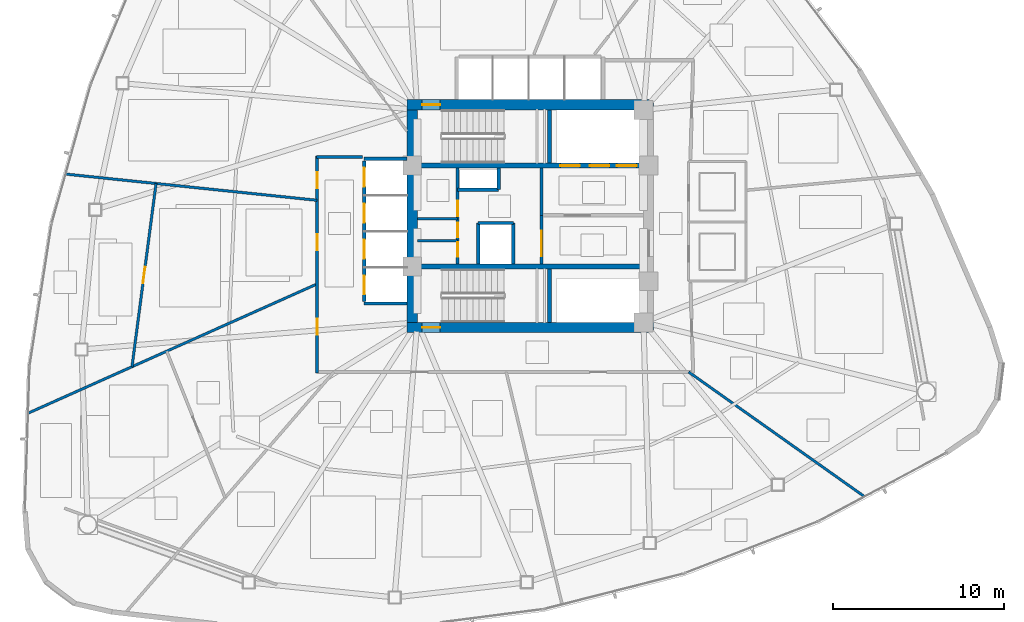
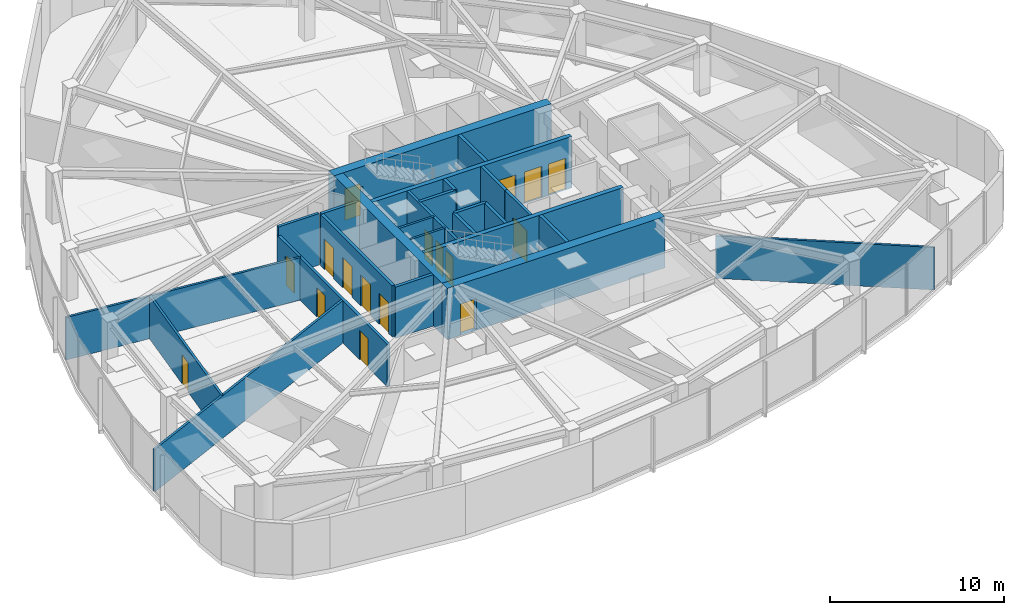
# One storey, part 11 of 17: 26 walls, 17 doors, 17 openings.
"""IFC4 building model written with IfcOpenShell, lengths in metres."""

from ifc_helpers import new_model, si_unit, direction, frame, frame_2d, origin, place, context, subcontext, project, spatial, rectangle, extrude, material, layer, layer_set, type_object, element, fill, save


model = new_model("IFC4")

# Units and contexts
model_context = context("Model", 3, precision=1e-05, world=origin(), true_north=direction((0.0, 1.0)))
body_context = subcontext(model_context, "Body", "Model", "MODEL_VIEW")
ifc_project = project(units=[si_unit("LENGTHUNIT", "METRE"), si_unit("AREAUNIT", "SQUARE_METRE"), si_unit("VOLUMEUNIT", "CUBIC_METRE"), si_unit("PLANEANGLEUNIT", "RADIAN"), si_unit("MASSUNIT", "GRAM", prefix="KILO")], contexts=[model_context])

# Site, building, storey
site_placement = place(None, origin())
site = spatial("IfcSite", under=ifc_project, at=site_placement, CompositionType="ELEMENT")
building_placement = place(site_placement, origin())
building = spatial("IfcBuilding", under=site, at=building_placement, Name="Tavelor Broadcast Tower", CompositionType="ELEMENT")
storey_placement = place(building_placement, frame((0.0, 0.0, 70.5)))
storey = spatial("IfcBuildingStorey", under=building, at=storey_placement, Name="L16", CompositionType="ELEMENT", Elevation=70.5)

# Wall, opening, door
ifc_material_1 = material(Name="Concrete C60/75", Category="concrete")
ifc_layer_1 = layer(ifc_material_1, 0.60009765625)
ifc_layer_set_1 = layer_set([ifc_layer_1], Name="Concrete C60/75")
wall_type_1 = type_object("IfcWallType", Name="Core Shear Wall 600 mm", PredefinedType="SHEAR", material=ifc_layer_set_1)
wall_1_placement = place(storey_placement, frame((42.800048828125, 51.5, 0.0), z_axis=(0.0, 0.0, 1.0), x_axis=(1.0, 0.0, 0.0)))
wall_1 = element("IfcWall", 1, at=wall_1_placement, inside=storey, type_object=wall_type_1, Name="L16 Central Core Shear Wall N", PredefinedType="SHEAR", context=body_context, shape_type="SweptSolid", body=[
    extrude(rectangle(XDim=14.39990234375, YDim=0.60009765625, at=frame_2d((7.199951171875, 0.0))), origin(), (0.0, 0.0, 1.0), 3.60009765625),
])
opening_1_placement = place(wall_1_placement, frame((0.8798828125, 0.0, 0.0)))
opening_1 = element("IfcOpeningElement", 2, at=opening_1_placement, cuts=wall_1, Name="Opening DR11", PredefinedType="OPENING", context=body_context, shape_type="SweptSolid", body=[
    extrude(rectangle(XDim=1.050048828125, YDim=2.199951171875, at=frame_2d((0.52490234375, 1.10009765625))), frame((0.0, 0.31005859375, 0.0), z_axis=(0.0, -1.0, 0.0), x_axis=(1.0, 0.0, 0.0)), (0.0, 0.0, 1.0), 0.6201171875),
])
ifc_material_2 = material(Name="Steel S355", Category="steel")
door_type_1 = type_object("IfcDoorType", Name="Stair Core Fire Escape Door 1050x2200", OperationType="NOTDEFINED", PredefinedType="DOOR", material=ifc_material_2)
door_1_placement = place(opening_1_placement, origin())
door_1 = element("IfcDoor", 3, at=door_1_placement, inside=storey, type_object=door_type_1, Name="L16 Stair ST1 Protected Exit Door", OperationType="SINGLE_SWING_LEFT", OverallHeight=2.199951171875, OverallWidth=1.050048828125, PredefinedType="DOOR", context=body_context, shape_type="SweptSolid", body=[
    extrude(rectangle(XDim=1.050048828125, YDim=2.199951171875, at=frame_2d((0.52490234375, 1.10009765625))), frame((0.0, 0.02490234375, 0.0), z_axis=(0.0, -1.0, 0.0), x_axis=(1.0, 0.0, 0.0)), (0.0, 0.0, 1.0), 0.050048828125),
])
fill(opening_1, door_1)

wall_2_placement = place(storey_placement, frame((42.800048828125, 38.5, 0.0), z_axis=(0.0, 0.0, 1.0), x_axis=(1.0, 0.0, 0.0)))
wall_2 = element("IfcWall", 4, at=wall_2_placement, inside=storey, type_object=wall_type_1, Name="L16 Central Core Shear Wall S", PredefinedType="SHEAR", context=body_context, shape_type="SweptSolid", body=[
    extrude(rectangle(XDim=14.39990234375, YDim=0.60009765625, at=frame_2d((7.199951171875, 0.0))), origin(), (0.0, 0.0, 1.0), 3.60009765625),
])
opening_2_placement = place(wall_2_placement, frame((0.8798828125, 0.0, 0.0)))
opening_2 = element("IfcOpeningElement", 5, at=opening_2_placement, cuts=wall_2, Name="Opening DR11", PredefinedType="OPENING", context=body_context, shape_type="SweptSolid", body=[
    extrude(rectangle(XDim=1.050048828125, YDim=2.199951171875, at=frame_2d((0.52490234375, 1.10009765625))), frame((0.0, 0.31005859375, 0.0), z_axis=(0.0, -1.0, 0.0), x_axis=(1.0, 0.0, 0.0)), (0.0, 0.0, 1.0), 0.6201171875),
])
door_2_placement = place(opening_2_placement, origin())
door_2 = element("IfcDoor", 6, at=door_2_placement, inside=storey, type_object=door_type_1, Name="L16 Stair ST2 Protected Exit Door", OperationType="SINGLE_SWING_RIGHT", OverallHeight=2.199951171875, OverallWidth=1.050048828125, PredefinedType="DOOR", context=body_context, shape_type="SweptSolid", body=[
    extrude(rectangle(XDim=1.050048828125, YDim=2.199951171875, at=frame_2d((0.52490234375, 1.10009765625))), frame((0.0, 0.02490234375, 0.0), z_axis=(0.0, -1.0, 0.0), x_axis=(1.0, 0.0, 0.0)), (0.0, 0.0, 1.0), 0.050048828125),
])
fill(opening_2, door_2)

# Wall
wall_3_placement = place(storey_placement, frame((43.10009765625, 38.800048828125, 0.0), z_axis=(0.0, 0.0, 1.0), x_axis=(0.0, 1.0, 0.0)))
element("IfcWall", 7, at=wall_3_placement, inside=storey, type_object=wall_type_1, Name="L16 Central Core Shear Wall W", PredefinedType="SHEAR", context=body_context, shape_type="SweptSolid", body=[
    extrude(rectangle(XDim=12.39990234375, YDim=0.60009765625, at=frame_2d((6.199951171875, 0.0))), origin(), (0.0, 0.0, 1.0), 3.60009765625),
])

# Wall, openings, doors
ifc_layer_2 = layer(ifc_material_1, 0.300048828125)
ifc_layer_set_2 = layer_set([ifc_layer_2], Name="Concrete C60/75")
wall_type_2 = type_object("IfcWallType", Name="Core Spine Shear Wall 300 mm C60", PredefinedType="SHEAR", material=ifc_layer_set_2)
wall_4_placement = place(storey_placement, frame((43.39990234375, 47.949951171875, 0.0), z_axis=(0.0, 0.0, 1.0), x_axis=(1.0, 0.0, 0.0)))
wall_4 = element("IfcWall", 8, at=wall_4_placement, inside=storey, type_object=wall_type_2, Name="L16 Central Core Shear Wall SP1", PredefinedType="SHEAR", context=body_context, shape_type="SweptSolid", body=[
    extrude(rectangle(XDim=13.2001953125, YDim=0.300048828125, at=frame_2d((6.60009765625, 0.0))), origin(), (0.0, 0.0, 1.0), 3.60009765625),
])
opening_3_placement = place(wall_4_placement, frame((8.344970703125, 0.0, 0.0)))
opening_3 = element("IfcOpeningElement", 9, at=opening_3_placement, cuts=wall_4, Name="Opening LD02", PredefinedType="OPENING", context=body_context, shape_type="SweptSolid", body=[
    extrude(rectangle(XDim=1.14990234375, YDim=2.199951171875, at=frame_2d((0.574951171875, 1.10009765625))), frame((0.0, 0.16015625, 0.0), z_axis=(0.0, -1.0, 0.0), x_axis=(1.0, 0.0, 0.0)), (0.0, 0.0, 1.0), 0.320068359375),
])
opening_4_placement = place(wall_4_placement, frame((10.06494140625, 0.0, 0.0)))
opening_4 = element("IfcOpeningElement", 10, at=opening_4_placement, cuts=wall_4, Name="Opening LD02", PredefinedType="OPENING", context=body_context, shape_type="SweptSolid", body=[
    extrude(rectangle(XDim=1.14990234375, YDim=2.199951171875, at=frame_2d((0.574951171875, 1.10009765625))), frame((0.0, 0.16015625, 0.0), z_axis=(0.0, -1.0, 0.0), x_axis=(1.0, 0.0, 0.0)), (0.0, 0.0, 1.0), 0.320068359375),
])
opening_5_placement = place(wall_4_placement, frame((11.64501953125, 0.0, 0.0)))
opening_5 = element("IfcOpeningElement", 11, at=opening_5_placement, cuts=wall_4, Name="Opening LD03", PredefinedType="OPENING", context=body_context, shape_type="SweptSolid", body=[
    extrude(rectangle(XDim=1.14990234375, YDim=2.199951171875, at=frame_2d((0.574951171875, 1.10009765625))), frame((0.0, 0.16015625, 0.0), z_axis=(0.0, -1.0, 0.0), x_axis=(1.0, 0.0, 0.0)), (0.0, 0.0, 1.0), 0.320068359375),
])
ifc_material_3 = material(Name="Reinforced Brushed Stainless Steel", Category="concrete")
door_type_2 = type_object("IfcDoorType", Name="Broadcast Goods Lift Sliding Landing Door 1250x2200", OperationType="NOTDEFINED", PredefinedType="DOOR", material=ifc_material_3)
door_3_placement = place(opening_5_placement, origin())
door_3 = element("IfcDoor", 12, at=door_3_placement, inside=storey, type_object=door_type_2, Name="L16 Lift SVL1 Sliding Landing Door", OperationType="SLIDING_TO_LEFT", OverallHeight=2.199951171875, OverallWidth=1.14990234375, PredefinedType="DOOR", context=body_context, shape_type="SweptSolid", body=[
    extrude(rectangle(XDim=1.14990234375, YDim=2.199951171875, at=frame_2d((0.574951171875, 1.10009765625))), frame((0.0, 0.02490234375, 0.0), z_axis=(0.0, -1.0, 0.0), x_axis=(1.0, 0.0, 0.0)), (0.0, 0.0, 1.0), 0.050048828125),
])
fill(opening_5, door_3)
ifc_material_4 = material(Name="Fire-Rated Stainless Steel", Category="steel")
door_type_3 = type_object("IfcDoorType", Name="Firefighting Lift Sliding Landing Door 1200x2200", OperationType="NOTDEFINED", PredefinedType="DOOR", material=ifc_material_4)
door_4_placement = place(opening_3_placement, origin())
door_4 = element("IfcDoor", 13, at=door_4_placement, inside=storey, type_object=door_type_3, Name="L16 Lift FFL1 Sliding Landing Door", OperationType="SLIDING_TO_LEFT", OverallHeight=2.199951171875, OverallWidth=1.14990234375, PredefinedType="DOOR", context=body_context, shape_type="SweptSolid", body=[
    extrude(rectangle(XDim=1.14990234375, YDim=2.199951171875, at=frame_2d((0.574951171875, 1.10009765625))), frame((0.0, 0.02490234375, 0.0), z_axis=(0.0, -1.0, 0.0), x_axis=(1.0, 0.0, 0.0)), (0.0, 0.0, 1.0), 0.050048828125),
])
fill(opening_3, door_4)
door_5_placement = place(opening_4_placement, origin())
door_5 = element("IfcDoor", 14, at=door_5_placement, inside=storey, type_object=door_type_3, Name="L16 Lift FFL2 Sliding Landing Door", OperationType="SLIDING_TO_LEFT", OverallHeight=2.199951171875, OverallWidth=1.14990234375, PredefinedType="DOOR", context=body_context, shape_type="SweptSolid", body=[
    extrude(rectangle(XDim=1.14990234375, YDim=2.199951171875, at=frame_2d((0.574951171875, 1.10009765625))), frame((0.0, 0.02490234375, 0.0), z_axis=(0.0, -1.0, 0.0), x_axis=(1.0, 0.0, 0.0)), (0.0, 0.0, 1.0), 0.050048828125),
])
fill(opening_4, door_5)

# Wall
wall_5_placement = place(storey_placement, frame((43.39990234375, 42.050048828125, 0.0), z_axis=(0.0, 0.0, 1.0), x_axis=(1.0, 0.0, 0.0)))
element("IfcWall", 15, at=wall_5_placement, inside=storey, type_object=wall_type_2, Name="L16 Central Core Shear Wall SP2", PredefinedType="SHEAR", context=body_context, shape_type="SweptSolid", body=[
    extrude(rectangle(XDim=13.2001953125, YDim=0.300048828125, at=frame_2d((6.60009765625, 0.0))), origin(), (0.0, 0.0, 1.0), 3.60009765625),
])

# Wall, opening, door
ifc_material_5 = material(Name="Calcium Silicate Fire Board 180 mm", Category="gypsum")
ifc_layer_3 = layer(ifc_material_5, 0.179931640625)
ifc_layer_set_3 = layer_set([ifc_layer_3], Name="Calcium Silicate Fire Board 180 mm")
wall_type_3 = type_object("IfcWallType", Name="Fire-Rated Corridor Partition Wall 180 mm", PredefinedType="PARTITIONING", material=ifc_layer_set_3)
wall_6_placement = place(storey_placement, frame((50.64990234375, 42.199951171875, 0.0), z_axis=(0.0, 0.0, 1.0), x_axis=(0.0, 1.0, 0.0)))
wall_6 = element("IfcWall", 16, at=wall_6_placement, inside=storey, type_object=wall_type_3, Name="L16 Core Lobby Zoning Wall", PredefinedType="PARTITIONING", context=body_context, shape_type="SweptSolid", body=[
    extrude(rectangle(XDim=2.85009765625, YDim=0.179931640625, at=frame_2d((1.425048828125, 0.0))), origin(), (0.0, 0.0, 1.0), 3.60009765625),
])
opening_6_placement = place(wall_6_placement, frame((0.449951171875, 0.0, 0.0)))
opening_6 = element("IfcOpeningElement", 17, at=opening_6_placement, cuts=wall_6, Name="Opening DR14", PredefinedType="OPENING", context=body_context, shape_type="SweptSolid", body=[
    extrude(rectangle(XDim=1.5, YDim=2.199951171875, at=frame_2d((0.75, 1.10009765625))), frame((0.0, 0.10009765625, 0.0), z_axis=(0.0, -1.0, 0.0), x_axis=(1.0, 0.0, 0.0)), (0.0, 0.0, 1.0), 0.199951171875),
])
door_type_4 = type_object("IfcDoorType", Name="Firefighting Lobby Double Fire Door 1500x2200", OperationType="NOTDEFINED", PredefinedType="DOOR", material=ifc_material_2)
door_6_placement = place(opening_6_placement, origin())
door_6 = element("IfcDoor", 18, at=door_6_placement, inside=storey, type_object=door_type_4, Name="L16 Core West Lobby Double Fire Door", OperationType="SINGLE_SWING_RIGHT", OverallHeight=2.199951171875, OverallWidth=1.5, PredefinedType="DOOR", context=body_context, shape_type="SweptSolid", body=[
    extrude(rectangle(XDim=1.5, YDim=2.199951171875, at=frame_2d((0.75, 1.10009765625))), frame((0.0, 0.02490234375, 0.0), z_axis=(0.0, -1.0, 0.0), x_axis=(1.0, 0.0, 0.0)), (0.0, 0.0, 1.0), 0.050048828125),
])
fill(opening_6, door_6)

# Wall, openings, doors
wall_7_placement = place(storey_placement, frame((45.75, 42.199951171875, 0.0), z_axis=(0.0, 0.0, 1.0), x_axis=(0.0, 1.0, 0.0)))
wall_7 = element("IfcWall", 19, at=wall_7_placement, inside=storey, type_object=wall_type_3, Name="L16 Core West Service East Wall", PredefinedType="PARTITIONING", context=body_context, shape_type="SweptSolid", body=[
    extrude(rectangle(XDim=5.60009765625, YDim=0.179931640625, at=frame_2d((2.800048828125, 0.0))), origin(), (0.0, 0.0, 1.0), 3.60009765625),
])
opening_7_placement = place(wall_7_placement, frame((0.419921875, 0.0, 0.0)))
opening_7 = element("IfcOpeningElement", 20, at=opening_7_placement, cuts=wall_7, Name="Opening DR36", PredefinedType="OPENING", context=body_context, shape_type="SweptSolid", body=[
    extrude(rectangle(XDim=0.85009765625, YDim=2.050048828125, at=frame_2d((0.425048828125, 1.02490234375))), frame((0.0, 0.10009765625, 0.0), z_axis=(0.0, -1.0, 0.0), x_axis=(1.0, 0.0, 0.0)), (0.0, 0.0, 1.0), 0.199951171875),
])
opening_8_placement = place(wall_7_placement, frame((1.570068359375, 0.0, 0.0)))
opening_8 = element("IfcOpeningElement", 21, at=opening_8_placement, cuts=wall_7, Name="Opening DR36", PredefinedType="OPENING", context=body_context, shape_type="SweptSolid", body=[
    extrude(rectangle(XDim=0.85009765625, YDim=2.050048828125, at=frame_2d((0.425048828125, 1.02490234375))), frame((0.0, 0.10009765625, 0.0), z_axis=(0.0, -1.0, 0.0), x_axis=(1.0, 0.0, 0.0)), (0.0, 0.0, 1.0), 0.199951171875),
])
opening_9_placement = place(wall_7_placement, frame((2.800048828125, 0.0, 0.0)))
opening_9 = element("IfcOpeningElement", 22, at=opening_9_placement, cuts=wall_7, Name="Opening DR32", PredefinedType="OPENING", context=body_context, shape_type="SweptSolid", body=[
    extrude(rectangle(XDim=0.89990234375, YDim=2.050048828125, at=frame_2d((0.449951171875, 1.02490234375))), frame((0.0, 0.10009765625, 0.0), z_axis=(0.0, -1.0, 0.0), x_axis=(1.0, 0.0, 0.0)), (0.0, 0.0, 1.0), 0.199951171875),
])
ifc_material_6 = material(Name="Timber Solid Core Hardwood", Category="wood")
door_type_5 = type_object("IfcDoorType", Name="Accessible Washroom Door 900x2050", OperationType="NOTDEFINED", PredefinedType="DOOR", material=ifc_material_6)
door_7_placement = place(opening_9_placement, origin())
door_7 = element("IfcDoor", 23, at=door_7_placement, inside=storey, type_object=door_type_5, Name="L16 Core Accessible WC Door", OperationType="SINGLE_SWING_LEFT", OverallHeight=2.050048828125, OverallWidth=0.89990234375, PredefinedType="DOOR", context=body_context, shape_type="SweptSolid", body=[
    extrude(rectangle(XDim=0.89990234375, YDim=2.050048828125, at=frame_2d((0.449951171875, 1.02490234375))), frame((0.0, 0.02490234375, 0.0), z_axis=(0.0, -1.0, 0.0), x_axis=(1.0, 0.0, 0.0)), (0.0, 0.0, 1.0), 0.050048828125),
])
fill(opening_9, door_7)
door_type_6 = type_object("IfcDoorType", Name="Service Room Fire Door 850x2050", OperationType="NOTDEFINED", PredefinedType="DOOR", material=ifc_material_2)
door_8_placement = place(opening_7_placement, origin())
door_8 = element("IfcDoor", 24, at=door_8_placement, inside=storey, type_object=door_type_6, Name="L16 Core Medical Room Door", OperationType="SINGLE_SWING_LEFT", OverallHeight=2.050048828125, OverallWidth=0.85009765625, PredefinedType="DOOR", context=body_context, shape_type="SweptSolid", body=[
    extrude(rectangle(XDim=0.85009765625, YDim=2.050048828125, at=frame_2d((0.425048828125, 1.02490234375))), frame((0.0, 0.02490234375, 0.0), z_axis=(0.0, -1.0, 0.0), x_axis=(1.0, 0.0, 0.0)), (0.0, 0.0, 1.0), 0.050048828125),
])
fill(opening_7, door_8)
door_9_placement = place(opening_8_placement, origin())
door_9 = element("IfcDoor", 25, at=door_9_placement, inside=storey, type_object=door_type_6, Name="L16 Core Copy Room Door", OperationType="SINGLE_SWING_RIGHT", OverallHeight=2.050048828125, OverallWidth=0.85009765625, PredefinedType="DOOR", context=body_context, shape_type="SweptSolid", body=[
    extrude(rectangle(XDim=0.85009765625, YDim=2.050048828125, at=frame_2d((0.425048828125, 1.02490234375))), frame((0.0, 0.02490234375, 0.0), z_axis=(0.0, -1.0, 0.0), x_axis=(1.0, 0.0, 0.0)), (0.0, 0.0, 1.0), 0.050048828125),
])
fill(opening_8, door_9)

wall_8_placement = place(storey_placement, frame((37.550048828125, 35.85009765625, 0.0), z_axis=(0.0, 0.0, 1.0), x_axis=(0.0, 1.0, 0.0)))
wall_8 = element("IfcWall", 26, at=wall_8_placement, inside=storey, type_object=wall_type_3, Name="L16 Corridor Compartment Wall 05", PredefinedType="PARTITIONING", context=body_context, shape_type="SweptSolid", body=[
    extrude(rectangle(XDim=12.64990234375, YDim=0.179931640625, at=frame_2d((6.324951171875, 0.0))), origin(), (0.0, 0.0, 1.0), 2.97509765625),
])
opening_10_placement = place(wall_8_placement, frame((2.210693359375, 0.0, 0.0)))
opening_10 = element("IfcOpeningElement", 27, at=opening_10_placement, cuts=wall_8, Name="Opening DR18", PredefinedType="OPENING", context=body_context, shape_type="SweptSolid", body=[
    extrude(rectangle(XDim=0.949951171875, YDim=2.050048828125, at=frame_2d((0.47509765625, 1.02490234375))), frame((0.0, 0.10009765625, 0.0), z_axis=(0.0, -1.0, 0.0), x_axis=(1.0, 0.0, 0.0)), (0.0, 0.0, 1.0), 0.199951171875),
])
opening_11_placement = place(wall_8_placement, frame((7.143310546875, 0.0, 0.0)))
opening_11 = element("IfcOpeningElement", 28, at=opening_11_placement, cuts=wall_8, Name="Opening DR18", PredefinedType="OPENING", context=body_context, shape_type="SweptSolid", body=[
    extrude(rectangle(XDim=0.949951171875, YDim=2.050048828125, at=frame_2d((0.47509765625, 1.02490234375))), frame((0.0, 0.10009765625, 0.0), z_axis=(0.0, -1.0, 0.0), x_axis=(1.0, 0.0, 0.0)), (0.0, 0.0, 1.0), 0.199951171875),
])
opening_12_placement = place(wall_8_placement, frame((10.7744140625, 0.0, 0.0)))
opening_12 = element("IfcOpeningElement", 29, at=opening_12_placement, cuts=wall_8, Name="Opening DR18", PredefinedType="OPENING", context=body_context, shape_type="SweptSolid", body=[
    extrude(rectangle(XDim=0.949951171875, YDim=2.050048828125, at=frame_2d((0.47509765625, 1.02490234375))), frame((0.0, 0.10009765625, 0.0), z_axis=(0.0, -1.0, 0.0), x_axis=(1.0, 0.0, 0.0)), (0.0, 0.0, 1.0), 0.199951171875),
])
door_type_7 = type_object("IfcDoorType", Name="Corridor Rated Compartment Door 950x2050", OperationType="NOTDEFINED", PredefinedType="DOOR", material=ifc_material_6)
door_10_placement = place(opening_10_placement, origin())
door_10 = element("IfcDoor", 30, at=door_10_placement, inside=storey, type_object=door_type_7, Name="L16 Press Concierge Desk Door R10", OperationType="SINGLE_SWING_LEFT", OverallHeight=2.050048828125, OverallWidth=0.949951171875, PredefinedType="DOOR", context=body_context, shape_type="SweptSolid", body=[
    extrude(rectangle(XDim=0.949951171875, YDim=2.050048828125, at=frame_2d((0.47509765625, 1.02490234375))), frame((0.0, 0.02490234375, 0.0), z_axis=(0.0, -1.0, 0.0), x_axis=(1.0, 0.0, 0.0)), (0.0, 0.0, 1.0), 0.050048828125),
])
fill(opening_10, door_10)
door_11_placement = place(opening_11_placement, origin())
door_11 = element("IfcDoor", 31, at=door_11_placement, inside=storey, type_object=door_type_7, Name="L16 Executive Reading Study Door R11", OperationType="SINGLE_SWING_RIGHT", OverallHeight=2.050048828125, OverallWidth=0.949951171875, PredefinedType="DOOR", context=body_context, shape_type="SweptSolid", body=[
    extrude(rectangle(XDim=0.949951171875, YDim=2.050048828125, at=frame_2d((0.47509765625, 1.02490234375))), frame((0.0, 0.02490234375, 0.0), z_axis=(0.0, -1.0, 0.0), x_axis=(1.0, 0.0, 0.0)), (0.0, 0.0, 1.0), 0.050048828125),
])
fill(opening_11, door_11)
door_12_placement = place(opening_12_placement, origin())
door_12 = element("IfcDoor", 32, at=door_12_placement, inside=storey, type_object=door_type_7, Name="L16 Music Mixing Workshop Door R3", OperationType="SINGLE_SWING_LEFT", OverallHeight=2.050048828125, OverallWidth=0.949951171875, PredefinedType="DOOR", context=body_context, shape_type="SweptSolid", body=[
    extrude(rectangle(XDim=0.949951171875, YDim=2.050048828125, at=frame_2d((0.47509765625, 1.02490234375))), frame((0.0, 0.02490234375, 0.0), z_axis=(0.0, -1.0, 0.0), x_axis=(1.0, 0.0, 0.0)), (0.0, 0.0, 1.0), 0.050048828125),
])
fill(opening_12, door_12)

# Walls
wall_9_placement = place(storey_placement, frame((37.5, 48.449951171875, 0.0), z_axis=(0.0, 0.0, 1.0), x_axis=(1.0, 0.0, 0.0)))
element("IfcWall", 33, at=wall_9_placement, inside=storey, type_object=wall_type_3, Name="L16 Corridor Compartment Wall 06", PredefinedType="PARTITIONING", context=body_context, shape_type="SweptSolid", body=[
    extrude(rectangle(XDim=2.699951171875, YDim=0.179931640625, at=frame_2d((1.35009765625, 0.0))), origin(), (0.0, 0.0, 1.0), 3.60009765625),
])
ifc_material_7 = material(Name="Gypsum Acoustic Plasterboard 150 mm", Category="gypsum")
ifc_layer_4 = layer(ifc_material_7, 0.14990234375)
ifc_layer_set_4 = layer_set([ifc_layer_4], Name="Gypsum Acoustic Plasterboard 150 mm")
wall_type_4 = type_object("IfcWallType", Name="Interior Acoustic Partition Wall 150 mm", PredefinedType="PARTITIONING", material=ifc_layer_set_4)
for number, where, z_axis, x_axis, name in (
    (34, (43.39990234375, 43.550048828125, 0.0), (0.0, 0.0, 1.0), (1.0, 0.0, 0.0), "L16 Core Split Wall B1"),
    (35, (43.39990234375, 44.85009765625, 0.0), (0.0, 0.0, 1.0), (1.0, 0.0, 0.0), "L16 Core Split Wall B2"),
):
    element("IfcWall", number, at=place(storey_placement, frame(where, z_axis=z_axis, x_axis=x_axis)), inside=storey, type_object=wall_type_4, Name=name, PredefinedType="PARTITIONING", context=body_context, shape_type="SweptSolid", body=[
        extrude(rectangle(XDim=2.35009765625, YDim=0.14990234375, at=frame_2d((1.175048828125, 0.0))), origin(), (0.0, 0.0, 1.0), 3.60009765625),
    ])
wall_10_placement = place(storey_placement, frame((37.550048828125, 45.923095703125, 0.0), z_axis=(0.0, 0.0, 1.0), x_axis=(-0.994604349177, 0.103740968757, 0.0)))
element("IfcWall", 36, at=wall_10_placement, inside=storey, type_object=wall_type_4, Name="L16 Radial Compartment Wall 02", PredefinedType="PARTITIONING", context=body_context, shape_type="SweptSolid", body=[
    extrude(rectangle(XDim=14.77197265625, YDim=0.14990234375, at=frame_2d((7.385986328125, 0.0))), origin(), (0.0, 0.0, 1.0), 2.97509765625),
])
wall_11_placement = place(storey_placement, frame((37.550048828125, 41.0419921875, 0.0), z_axis=(0.0, 0.0, 1.0), x_axis=(-0.912862009408, -0.408268235086, 0.0)))
element("IfcWall", 37, at=wall_11_placement, inside=storey, type_object=wall_type_4, Name="L16 Radial Compartment Wall 03", PredefinedType="PARTITIONING", context=body_context, shape_type="SweptSolid", body=[
    extrude(rectangle(XDim=18.4970703125, YDim=0.14990234375, at=frame_2d((9.24853515625, 0.0))), origin(), (0.0, 0.0, 1.0), 2.97509765625),
])
wall_12_placement = place(storey_placement, frame((59.240234375, 35.89990234375, 0.0), z_axis=(0.0, 0.0, 1.0), x_axis=(0.815874726465, -0.578228701048, 0.0)))
element("IfcWall", 38, at=wall_12_placement, inside=storey, type_object=wall_type_4, Name="L16 Radial Compartment Wall 06", PredefinedType="PARTITIONING", context=body_context, shape_type="SweptSolid", body=[
    extrude(rectangle(XDim=12.593994140625, YDim=0.14990234375, at=frame_2d((6.296875, 0.0))), origin(), (0.0, 0.0, 1.0), 2.97509765625),
])

# Wall, opening, door
wall_13_placement = place(storey_placement, frame((28.14697265625, 46.90380859375, 0.0), z_axis=(0.0, 0.0, 1.0), x_axis=(-0.130119026428, -0.991498380715, 0.0)))
wall_13 = element("IfcWall", 39, at=wall_13_placement, inside=storey, type_object=wall_type_4, Name="L16 Suite Chord Partition Wall 02", PredefinedType="PARTITIONING", context=body_context, shape_type="SweptSolid", body=[
    extrude(rectangle(XDim=10.786865234375, YDim=0.14990234375, at=frame_2d((5.3935546875, 0.0))), origin(), (0.0, 0.0, 1.0), 2.97509765625),
])
opening_13_placement = place(wall_13_placement, frame((4.918212890625, 0.0, 0.0)))
opening_13 = element("IfcOpeningElement", 40, at=opening_13_placement, cuts=wall_13, Name="Opening DR23", PredefinedType="OPENING", context=body_context, shape_type="SweptSolid", body=[
    extrude(rectangle(XDim=0.949951171875, YDim=2.050048828125, at=frame_2d((0.47509765625, 1.02490234375))), frame((0.0, 0.0849609375, 0.0), z_axis=(0.0, -1.0, 0.0), x_axis=(1.0, 0.0, 0.0)), (0.0, 0.0, 1.0), 0.169921875),
])
door_type_8 = type_object("IfcDoorType", Name="Editorial Room Acoustic Door 950x2050", OperationType="NOTDEFINED", PredefinedType="DOOR", material=ifc_material_6)
door_13_placement = place(opening_13_placement, origin())
door_13 = element("IfcDoor", 41, at=door_13_placement, inside=storey, type_object=door_type_8, Name="L16 Outer Suite Partition Door 2", OperationType="SINGLE_SWING_LEFT", OverallHeight=2.050048828125, OverallWidth=0.949951171875, PredefinedType="DOOR", context=body_context, shape_type="SweptSolid", body=[
    extrude(rectangle(XDim=0.949951171875, YDim=2.050048828125, at=frame_2d((0.47509765625, 1.02490234375))), frame((0.0, 0.02490234375, 0.0), z_axis=(0.0, -1.0, 0.0), x_axis=(1.0, 0.0, 0.0)), (0.0, 0.0, 1.0), 0.050048828125),
])
fill(opening_13, door_13)

# Wall, openings, doors
ifc_material_8 = material(Name="Concrete Blockwork 200 mm", Category="masonry")
ifc_layer_5 = layer(ifc_material_8, 0.199951171875)
ifc_layer_set_5 = layer_set([ifc_layer_5], Name="Concrete Blockwork 200 mm")
wall_type_5 = type_object("IfcWallType", Name="Lift Hoistway Rated Front Wall 200 mm", PredefinedType="PARTITIONING", material=ifc_layer_set_5)
wall_14_placement = place(storey_placement, frame((40.300048828125, 40.02001953125, 0.0), z_axis=(0.0, 0.0, 1.0), x_axis=(0.0, 1.0, 0.0)))
wall_14 = element("IfcWall", 42, at=wall_14_placement, inside=storey, type_object=wall_type_5, Name="L16 Low-Rise Lift Hoistway Front Wall", PredefinedType="PARTITIONING", context=body_context, shape_type="SweptSolid", body=[
    extrude(rectangle(XDim=8.2099609375, YDim=0.199951171875, at=frame_2d((4.10498046875, 0.0))), origin(), (0.0, 0.0, 1.0), 3.60009765625),
])
opening_14_placement = place(wall_14_placement, frame((0.405029296875, 0.0, 0.0)))
opening_14 = element("IfcOpeningElement", 43, at=opening_14_placement, cuts=wall_14, Name="Opening LD01", PredefinedType="OPENING", context=body_context, shape_type="SweptSolid", body=[
    extrude(rectangle(XDim=1.10009765625, YDim=2.14990234375, at=frame_2d((0.550048828125, 1.074951171875))), frame((0.0, 0.10986328125, 0.0), z_axis=(0.0, -1.0, 0.0), x_axis=(1.0, 0.0, 0.0)), (0.0, 0.0, 1.0), 0.219970703125),
])
opening_15_placement = place(wall_14_placement, frame((2.5048828125, 0.0, 0.0)))
opening_15 = element("IfcOpeningElement", 44, at=opening_15_placement, cuts=wall_14, Name="Opening LD01", PredefinedType="OPENING", context=body_context, shape_type="SweptSolid", body=[
    extrude(rectangle(XDim=1.10009765625, YDim=2.14990234375, at=frame_2d((0.550048828125, 1.074951171875))), frame((0.0, 0.10986328125, 0.0), z_axis=(0.0, -1.0, 0.0), x_axis=(1.0, 0.0, 0.0)), (0.0, 0.0, 1.0), 0.219970703125),
])
opening_16_placement = place(wall_14_placement, frame((4.60498046875, 0.0, 0.0)))
opening_16 = element("IfcOpeningElement", 45, at=opening_16_placement, cuts=wall_14, Name="Opening LD01", PredefinedType="OPENING", context=body_context, shape_type="SweptSolid", body=[
    extrude(rectangle(XDim=1.10009765625, YDim=2.14990234375, at=frame_2d((0.550048828125, 1.074951171875))), frame((0.0, 0.10986328125, 0.0), z_axis=(0.0, -1.0, 0.0), x_axis=(1.0, 0.0, 0.0)), (0.0, 0.0, 1.0), 0.219970703125),
])
opening_17_placement = place(wall_14_placement, frame((6.705078125, 0.0, 0.0)))
opening_17 = element("IfcOpeningElement", 46, at=opening_17_placement, cuts=wall_14, Name="Opening LD01", PredefinedType="OPENING", context=body_context, shape_type="SweptSolid", body=[
    extrude(rectangle(XDim=1.10009765625, YDim=2.14990234375, at=frame_2d((0.550048828125, 1.074951171875))), frame((0.0, 0.10986328125, 0.0), z_axis=(0.0, -1.0, 0.0), x_axis=(1.0, 0.0, 0.0)), (0.0, 0.0, 1.0), 0.219970703125),
])
ifc_material_9 = material(Name="Brushed Stainless Steel", Category="steel")
door_type_9 = type_object("IfcDoorType", Name="Passenger Lift Sliding Landing Door 1100x2150", OperationType="NOTDEFINED", PredefinedType="DOOR", material=ifc_material_9)
door_14_placement = place(opening_14_placement, origin())
door_14 = element("IfcDoor", 47, at=door_14_placement, inside=storey, type_object=door_type_9, Name="L16 Lift PLL1 Sliding Landing Door", OperationType="SLIDING_TO_LEFT", OverallHeight=2.14990234375, OverallWidth=1.10009765625, PredefinedType="DOOR", context=body_context, shape_type="SweptSolid", body=[
    extrude(rectangle(XDim=1.10009765625, YDim=2.14990234375, at=frame_2d((0.550048828125, 1.074951171875))), frame((0.0, 0.02490234375, 0.0), z_axis=(0.0, -1.0, 0.0), x_axis=(1.0, 0.0, 0.0)), (0.0, 0.0, 1.0), 0.050048828125),
])
fill(opening_14, door_14)
door_15_placement = place(opening_15_placement, origin())
door_15 = element("IfcDoor", 48, at=door_15_placement, inside=storey, type_object=door_type_9, Name="L16 Lift PLL2 Sliding Landing Door", OperationType="SLIDING_TO_RIGHT", OverallHeight=2.14990234375, OverallWidth=1.10009765625, PredefinedType="DOOR", context=body_context, shape_type="SweptSolid", body=[
    extrude(rectangle(XDim=1.10009765625, YDim=2.14990234375, at=frame_2d((0.550048828125, 1.074951171875))), frame((0.0, 0.02490234375, 0.0), z_axis=(0.0, -1.0, 0.0), x_axis=(1.0, 0.0, 0.0)), (0.0, 0.0, 1.0), 0.050048828125),
])
fill(opening_15, door_15)
door_16_placement = place(opening_16_placement, origin())
door_16 = element("IfcDoor", 49, at=door_16_placement, inside=storey, type_object=door_type_9, Name="L16 Lift PLL3 Sliding Landing Door", OperationType="SLIDING_TO_LEFT", OverallHeight=2.14990234375, OverallWidth=1.10009765625, PredefinedType="DOOR", context=body_context, shape_type="SweptSolid", body=[
    extrude(rectangle(XDim=1.10009765625, YDim=2.14990234375, at=frame_2d((0.550048828125, 1.074951171875))), frame((0.0, 0.02490234375, 0.0), z_axis=(0.0, -1.0, 0.0), x_axis=(1.0, 0.0, 0.0)), (0.0, 0.0, 1.0), 0.050048828125),
])
fill(opening_16, door_16)
door_17_placement = place(opening_17_placement, origin())
door_17 = element("IfcDoor", 50, at=door_17_placement, inside=storey, type_object=door_type_9, Name="L16 Lift PLL4 Sliding Landing Door", OperationType="SLIDING_TO_RIGHT", OverallHeight=2.14990234375, OverallWidth=1.10009765625, PredefinedType="DOOR", context=body_context, shape_type="SweptSolid", body=[
    extrude(rectangle(XDim=1.10009765625, YDim=2.14990234375, at=frame_2d((0.550048828125, 1.074951171875))), frame((0.0, 0.02490234375, 0.0), z_axis=(0.0, -1.0, 0.0), x_axis=(1.0, 0.0, 0.0)), (0.0, 0.0, 1.0), 0.050048828125),
])
fill(opening_17, door_17)

# Walls
wall_15_placement = place(storey_placement, frame((49.0, 42.199951171875, 0.0), z_axis=(0.0, 0.0, 1.0), x_axis=(0.0, 1.0, 0.0)))
element("IfcWall", 51, at=wall_15_placement, inside=storey, type_object=wall_type_5, Name="L16 Mid-Rise Lift PLM4 Hoistway Front Wall", PredefinedType="PARTITIONING", context=body_context, shape_type="SweptSolid", body=[
    extrude(rectangle(XDim=2.400146484375, YDim=0.199951171875, at=frame_2d((1.2001953125, 0.0))), origin(), (0.0, 0.0, 1.0), 3.60009765625),
])
ifc_layer_6 = layer(ifc_material_8, 0.199951171875)
ifc_layer_set_6 = layer_set([ifc_layer_6], Name="Concrete Blockwork 200 mm")
wall_type_6 = type_object("IfcWallType", Name="Lift and Riser Shaft Enclosure Wall 200 mm", PredefinedType="PARTITIONING", material=ifc_layer_set_6)
for number, where, z_axis, x_axis, name in (
    (52, (40.300048828125, 39.89990234375, 0.0), (0.0, 0.0, 1.0), (1.0, 0.0, 0.0), "L16 Low-Rise Lift Shaft South Wall"),
    (53, (40.300048828125, 48.35009765625, 0.0), (0.0, 0.0, 1.0), (1.0, 0.0, 0.0), "L16 Low-Rise Lift Shaft North Wall"),
):
    element("IfcWall", number, at=place(storey_placement, frame(where, z_axis=z_axis, x_axis=x_axis)), inside=storey, type_object=wall_type_6, Name=name, PredefinedType="PARTITIONING", context=body_context, shape_type="SweptSolid", body=[
        extrude(rectangle(XDim=2.5, YDim=0.199951171875, at=frame_2d((1.25, 0.0))), origin(), (0.0, 0.0, 1.0), 3.60009765625),
    ])
wall_16_placement = place(storey_placement, frame((45.75, 46.550048828125, 0.0), z_axis=(0.0, 0.0, 1.0), x_axis=(1.0, 0.0, 0.0)))
element("IfcWall", 54, at=wall_16_placement, inside=storey, type_object=wall_type_6, Name="L16 Riser Shaft South Wall", PredefinedType="PARTITIONING", context=body_context, shape_type="SweptSolid", body=[
    extrude(rectangle(XDim=2.39990234375, YDim=0.199951171875, at=frame_2d((1.199951171875, 0.0))), origin(), (0.0, 0.0, 1.0), 3.60009765625),
])
wall_17_placement = place(storey_placement, frame((48.14990234375, 46.550048828125, 0.0), z_axis=(0.0, 0.0, 1.0), x_axis=(0.0, 1.0, 0.0)))
element("IfcWall", 55, at=wall_17_placement, inside=storey, type_object=wall_type_6, Name="L16 Riser Shaft East Wall", PredefinedType="PARTITIONING", context=body_context, shape_type="SweptSolid", body=[
    extrude(rectangle(XDim=1.25, YDim=0.199951171875, at=frame_2d((0.625, 0.0))), origin(), (0.0, 0.0, 1.0), 3.60009765625),
])
wall_18_placement = place(storey_placement, frame((46.949951171875, 42.199951171875, 0.0), z_axis=(0.0, 0.0, 1.0), x_axis=(0.0, 1.0, 0.0)))
element("IfcWall", 56, at=wall_18_placement, inside=storey, type_object=wall_type_6, Name="L16 Mid-Rise Lift PLM4 West Wall", PredefinedType="PARTITIONING", context=body_context, shape_type="SweptSolid", body=[
    extrude(rectangle(XDim=2.400146484375, YDim=0.199951171875, at=frame_2d((1.2001953125, 0.0))), origin(), (0.0, 0.0, 1.0), 3.60009765625),
])
wall_19_placement = place(storey_placement, frame((46.949951171875, 44.60009765625, 0.0), z_axis=(0.0, 0.0, 1.0), x_axis=(1.0, 0.0, 0.0)))
element("IfcWall", 57, at=wall_19_placement, inside=storey, type_object=wall_type_6, Name="L16 Mid-Rise Lift PLM4 North Wall", PredefinedType="PARTITIONING", context=body_context, shape_type="SweptSolid", body=[
    extrude(rectangle(XDim=2.050048828125, YDim=0.199951171875, at=frame_2d((1.02490234375, 0.0))), origin(), (0.0, 0.0, 1.0), 3.60009765625),
])
wall_20_placement = place(storey_placement, frame((50.64990234375, 45.050048828125, 0.0), z_axis=(0.0, 0.0, 1.0), x_axis=(0.0, 1.0, 0.0)))
element("IfcWall", 58, at=wall_20_placement, inside=storey, type_object=wall_type_6, Name="L16 Firefighting Lobby West Wall", PredefinedType="PARTITIONING", context=body_context, shape_type="SweptSolid", body=[
    extrude(rectangle(XDim=2.75, YDim=0.199951171875, at=frame_2d((1.375, 0.0))), origin(), (0.0, 0.0, 1.0), 3.60009765625),
])
ifc_material_10 = material(Name="Concrete C40/50", Category="concrete")
ifc_layer_7 = layer(ifc_material_10, 0.219970703125)
ifc_layer_set_7 = layer_set([ifc_layer_7], Name="Concrete C40/50")
wall_type_7 = type_object("IfcWallType", Name="Structural Stairwell Shear Wall 220 mm", PredefinedType="SHEAR", material=ifc_layer_set_7)
for number, where, z_axis, x_axis, name in (
    (59, (51.110107421875, 48.10009765625, 0.0), (0.0, 0.0, 1.0), (0.0, 1.0, 0.0), "L16 Stair ST1 Structural Shaft Wall"),
    (60, (51.110107421875, 38.800048828125, 0.0), (0.0, 0.0, 1.0), (0.0, 1.0, 0.0), "L16 Stair ST2 Structural Shaft Wall"),
):
    element("IfcWall", number, at=place(storey_placement, frame(where, z_axis=z_axis, x_axis=x_axis)), inside=storey, type_object=wall_type_7, Name=name, PredefinedType="SHEAR", context=body_context, shape_type="SweptSolid", body=[
        extrude(rectangle(XDim=3.099853515625, YDim=0.219970703125, at=frame_2d((1.5498046875, 0.0))), origin(), (0.0, 0.0, 1.0), 3.60009765625),
    ])

save(model, "model.ifc")
